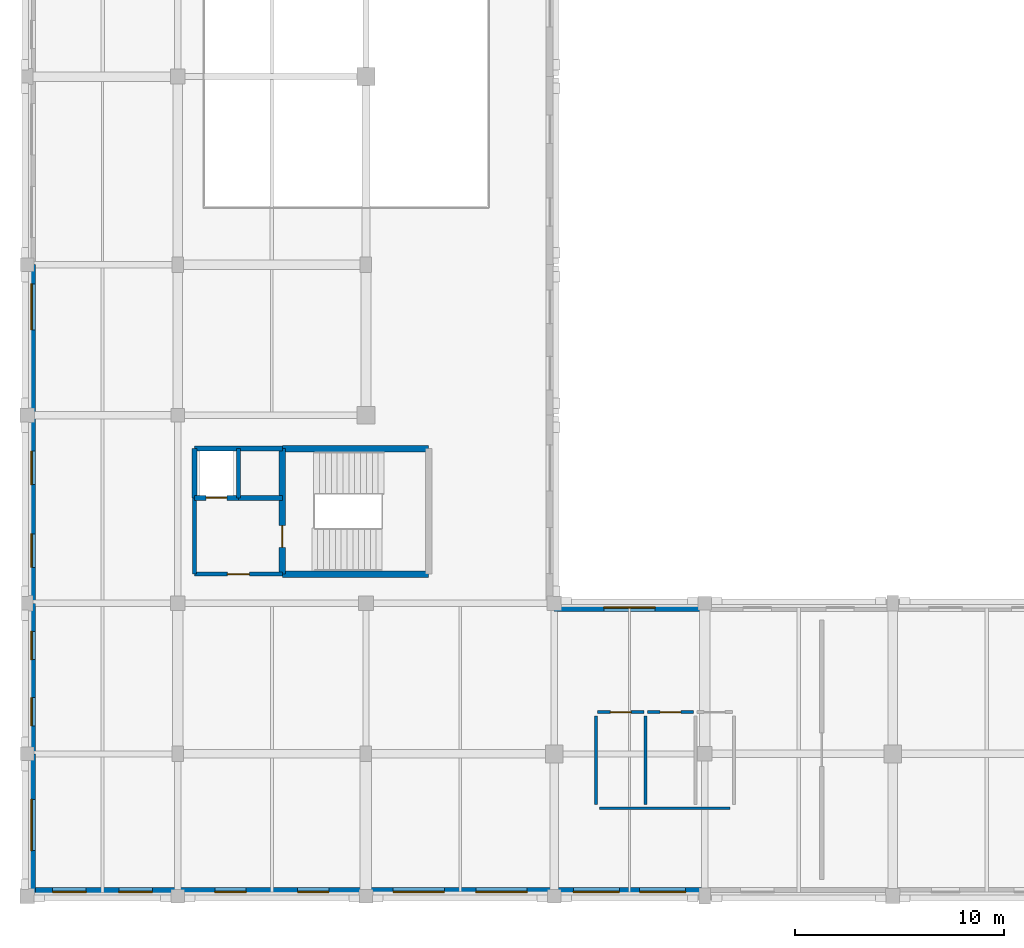
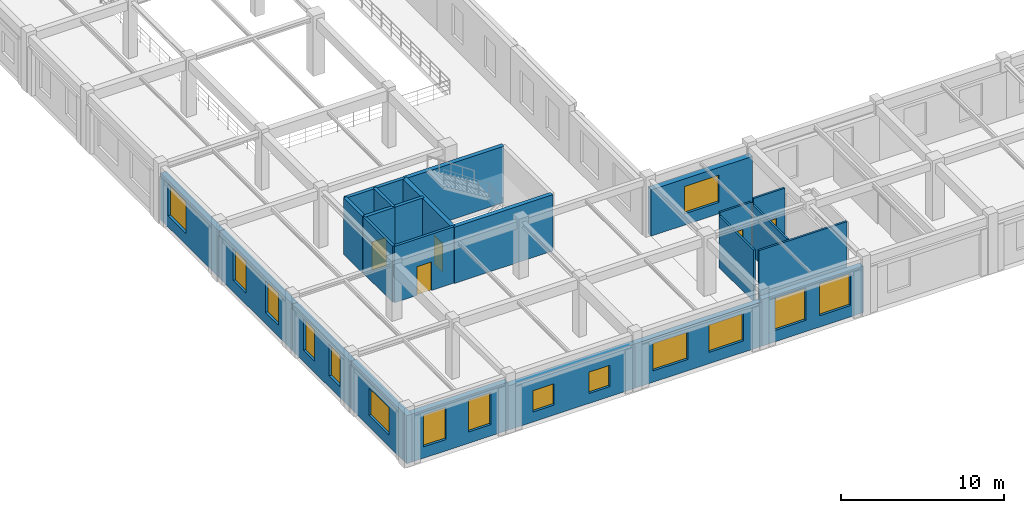
# One storey, part 36 of 62: 24 walls, 15 windows, 5 doors, 20 openings.
"""IFC4 building model written with IfcOpenShell, lengths in metres."""

from ifc_helpers import new_model, si_unit, direction, frame, frame_2d, origin, place, context, subcontext, project, spatial, rectangle, extrude, material, layer, layer_set, type_object, element, fill, save


model = new_model("IFC4")

# Units and contexts
model_context = context("Model", 3, precision=1e-05, world=origin(), true_north=direction((0.0, 1.0)))
body_context = subcontext(model_context, "Body", "Model", "MODEL_VIEW")
ifc_project = project(units=[si_unit("LENGTHUNIT", "METRE"), si_unit("AREAUNIT", "SQUARE_METRE"), si_unit("VOLUMEUNIT", "CUBIC_METRE"), si_unit("PLANEANGLEUNIT", "RADIAN"), si_unit("MASSUNIT", "GRAM", prefix="KILO")], contexts=[model_context])

# Site, building, storey
site_placement = place(None, origin())
site = spatial("IfcSite", under=ifc_project, at=site_placement, CompositionType="ELEMENT")
building_placement = place(site_placement, origin())
building = spatial("IfcBuilding", under=site, at=building_placement, Name="Clarverna Civic Hall", CompositionType="ELEMENT")
storey_placement = place(building_placement, frame((0.0, 0.0, 5.10009765625)))
storey = spatial("IfcBuildingStorey", under=building, at=storey_placement, Name="L01", CompositionType="ELEMENT", Elevation=5.10009765625)

# Wall, opening, window
ifc_material_1 = material(Name="Montjuic Limestone Ashlar Cladding", Category="masonry")
ifc_layer_1 = layer(ifc_material_1, 0.39990234375)
ifc_layer_set_1 = layer_set([ifc_layer_1], Name="Montjuic Limestone Ashlar Cladding")
wall_type_1 = type_object("IfcWallType", Name="EW-02", PredefinedType="SOLIDWALL", material=ifc_layer_set_1)
wall_1_placement = place(storey_placement, frame((0.199951171875, 0.0, 0.0), z_axis=(0.0, 0.0, 1.0), x_axis=(0.0, 1.0, 0.0)))
wall_1 = element("IfcWall", 1, at=wall_1_placement, inside=storey, type_object=wall_type_1, Name="EW-02-001", PredefinedType="SOLIDWALL", context=body_context, shape_type="SweptSolid", body=[
    extrude(rectangle(XDim=6.800048828125, YDim=0.39990234375, at=frame_2d((3.39990234375, 0.0))), origin(), (0.0, 0.0, 1.0), 3.599853515625),
])
opening_1_placement = place(wall_1_placement, frame((2.175048828125, 0.0, 0.85009765625)))
opening_1 = element("IfcOpeningElement", 2, at=opening_1_placement, cuts=wall_1, Name="Opening WN-24", PredefinedType="OPENING", context=body_context, shape_type="SweptSolid", body=[
    extrude(rectangle(XDim=2.449951171875, YDim=2.050048828125, at=frame_2d((1.22509765625, 1.02490234375))), frame((0.0, 0.2099609375, 0.0), z_axis=(0.0, -1.0, 0.0), x_axis=(1.0, 0.0, 0.0)), (0.0, 0.0, 1.0), 0.419921875),
])
ifc_material_2 = material(Name="Solar-Control Argon Low-E Double Glazing", Category="glass")
window_type_1 = type_object("IfcWindowType", Name="WN-24", PartitioningType="TRIPLE_PANEL_VERTICAL", PredefinedType="WINDOW", material=ifc_material_2)
window_1_placement = place(opening_1_placement, origin())
window_1 = element("IfcWindow", 3, at=window_1_placement, inside=storey, type_object=window_type_1, Name="WN-24-001", OverallHeight=2.050048828125, OverallWidth=2.449951171875, PartitioningType="TRIPLE_PANEL_VERTICAL", PredefinedType="WINDOW", context=body_context, shape_type="SweptSolid", body=[
    extrude(rectangle(XDim=2.449951171875, YDim=2.050048828125, at=frame_2d((1.22509765625, 1.02490234375))), frame((0.0, 0.030029296875, 0.0), z_axis=(0.0, -1.0, 0.0), x_axis=(1.0, 0.0, 0.0)), (0.0, 0.0, 1.0), 0.06005859375),
])
fill(opening_1, window_1)

# Wall, openings, windows
wall_2_placement = place(storey_placement, frame((0.199951171875, 6.800048828125, 0.0), z_axis=(0.0, 0.0, 1.0), x_axis=(0.0, 1.0, 0.0)))
wall_2 = element("IfcWall", 4, at=wall_2_placement, inside=storey, type_object=wall_type_1, Name="EW-02-002", PredefinedType="SOLIDWALL", context=body_context, shape_type="SweptSolid", body=[
    extrude(rectangle(XDim=7.199951171875, YDim=0.39990234375, at=frame_2d((3.60009765625, 0.0))), origin(), (0.0, 0.0, 1.0), 3.5),
])
opening_2_placement = place(wall_2_placement, frame((1.341064453125, 0.0, 0.85009765625)))
opening_2 = element("IfcOpeningElement", 5, at=opening_2_placement, cuts=wall_2, Name="Opening WN-29", PredefinedType="OPENING", context=body_context, shape_type="SweptSolid", body=[
    extrude(rectangle(XDim=1.35009765625, YDim=2.35009765625, at=frame_2d((0.675048828125, 1.175048828125))), frame((0.0, 0.2099609375, 0.0), z_axis=(0.0, -1.0, 0.0), x_axis=(1.0, 0.0, 0.0)), (0.0, 0.0, 1.0), 0.419921875),
])
opening_3_placement = place(wall_2_placement, frame((4.509033203125, 0.0, 0.85009765625)))
opening_3 = element("IfcOpeningElement", 6, at=opening_3_placement, cuts=wall_2, Name="Opening WN-29", PredefinedType="OPENING", context=body_context, shape_type="SweptSolid", body=[
    extrude(rectangle(XDim=1.35009765625, YDim=2.35009765625, at=frame_2d((0.675048828125, 1.175048828125))), frame((0.0, 0.2099609375, 0.0), z_axis=(0.0, -1.0, 0.0), x_axis=(1.0, 0.0, 0.0)), (0.0, 0.0, 1.0), 0.419921875),
])
window_type_2 = type_object("IfcWindowType", Name="WN-29", PartitioningType="SINGLE_PANEL", PredefinedType="WINDOW", material=ifc_material_2)
window_2_placement = place(opening_2_placement, origin())
window_2 = element("IfcWindow", 7, at=window_2_placement, inside=storey, type_object=window_type_2, Name="WN-29-001", OverallHeight=2.35009765625, OverallWidth=1.35009765625, PartitioningType="SINGLE_PANEL", PredefinedType="WINDOW", context=body_context, shape_type="SweptSolid", body=[
    extrude(rectangle(XDim=1.35009765625, YDim=2.35009765625, at=frame_2d((0.675048828125, 1.175048828125))), frame((0.0, 0.030029296875, 0.0), z_axis=(0.0, -1.0, 0.0), x_axis=(1.0, 0.0, 0.0)), (0.0, 0.0, 1.0), 0.06005859375),
])
fill(opening_2, window_2)
window_3_placement = place(opening_3_placement, origin())
window_3 = element("IfcWindow", 8, at=window_3_placement, inside=storey, type_object=window_type_2, Name="WN-29-002", OverallHeight=2.35009765625, OverallWidth=1.35009765625, PartitioningType="SINGLE_PANEL", PredefinedType="WINDOW", context=body_context, shape_type="SweptSolid", body=[
    extrude(rectangle(XDim=1.35009765625, YDim=2.35009765625, at=frame_2d((0.675048828125, 1.175048828125))), frame((0.0, 0.030029296875, 0.0), z_axis=(0.0, -1.0, 0.0), x_axis=(1.0, 0.0, 0.0)), (0.0, 0.0, 1.0), 0.06005859375),
])
fill(opening_3, window_3)

wall_3_placement = place(storey_placement, frame((0.199951171875, 14.0, 0.0), z_axis=(0.0, 0.0, 1.0), x_axis=(0.0, 1.0, 0.0)))
wall_3 = element("IfcWall", 9, at=wall_3_placement, inside=storey, type_object=wall_type_1, Name="EW-02-003", PredefinedType="SOLIDWALL", context=body_context, shape_type="SweptSolid", body=[
    extrude(rectangle(XDim=9.0, YDim=0.39990234375, at=frame_2d((4.5, 0.0))), origin(), (0.0, 0.0, 1.0), 3.5),
])
opening_4_placement = place(wall_3_placement, frame((1.719970703125, 0.0, 0.85009765625)))
opening_4 = element("IfcOpeningElement", 10, at=opening_4_placement, cuts=wall_3, Name="Opening WN-03", PredefinedType="OPENING", context=body_context, shape_type="SweptSolid", body=[
    extrude(rectangle(XDim=1.60009765625, YDim=2.39990234375, at=frame_2d((0.800048828125, 1.199951171875))), frame((0.0, 0.2099609375, 0.0), z_axis=(0.0, -1.0, 0.0), x_axis=(1.0, 0.0, 0.0)), (0.0, 0.0, 1.0), 0.419921875),
])
opening_5_placement = place(wall_3_placement, frame((5.679931640625, 0.0, 0.85009765625)))
opening_5 = element("IfcOpeningElement", 11, at=opening_5_placement, cuts=wall_3, Name="Opening WN-03", PredefinedType="OPENING", context=body_context, shape_type="SweptSolid", body=[
    extrude(rectangle(XDim=1.60009765625, YDim=2.39990234375, at=frame_2d((0.800048828125, 1.199951171875))), frame((0.0, 0.2099609375, 0.0), z_axis=(0.0, -1.0, 0.0), x_axis=(1.0, 0.0, 0.0)), (0.0, 0.0, 1.0), 0.419921875),
])
window_type_3 = type_object("IfcWindowType", Name="WN-03", PartitioningType="DOUBLE_PANEL_VERTICAL", PredefinedType="WINDOW", material=ifc_material_2)
window_4_placement = place(opening_4_placement, origin())
window_4 = element("IfcWindow", 12, at=window_4_placement, inside=storey, type_object=window_type_3, Name="WN-03-001", OverallHeight=2.39990234375, OverallWidth=1.60009765625, PartitioningType="DOUBLE_PANEL_VERTICAL", PredefinedType="WINDOW", context=body_context, shape_type="SweptSolid", body=[
    extrude(rectangle(XDim=1.60009765625, YDim=2.39990234375, at=frame_2d((0.800048828125, 1.199951171875))), frame((0.0, 0.030029296875, 0.0), z_axis=(0.0, -1.0, 0.0), x_axis=(1.0, 0.0, 0.0)), (0.0, 0.0, 1.0), 0.06005859375),
])
fill(opening_4, window_4)
window_5_placement = place(opening_5_placement, origin())
window_5 = element("IfcWindow", 13, at=window_5_placement, inside=storey, type_object=window_type_3, Name="WN-03-002", OverallHeight=2.39990234375, OverallWidth=1.60009765625, PartitioningType="DOUBLE_PANEL_VERTICAL", PredefinedType="WINDOW", context=body_context, shape_type="SweptSolid", body=[
    extrude(rectangle(XDim=1.60009765625, YDim=2.39990234375, at=frame_2d((0.800048828125, 1.199951171875))), frame((0.0, 0.030029296875, 0.0), z_axis=(0.0, -1.0, 0.0), x_axis=(1.0, 0.0, 0.0)), (0.0, 0.0, 1.0), 0.06005859375),
])
fill(opening_5, window_5)

# Wall, opening, window
wall_4_placement = place(storey_placement, frame((0.199951171875, 23.0, 0.0), z_axis=(0.0, 0.0, 1.0), x_axis=(0.0, 1.0, 0.0)))
wall_4 = element("IfcWall", 14, at=wall_4_placement, inside=storey, type_object=wall_type_1, Name="EW-02-004", PredefinedType="SOLIDWALL", context=body_context, shape_type="SweptSolid", body=[
    extrude(rectangle(XDim=7.199951171875, YDim=0.39990234375, at=frame_2d((3.60009765625, 0.0))), origin(), (0.0, 0.0, 1.0), 3.5),
])
opening_6_placement = place(wall_4_placement, frame((4.083984375, 0.0, 0.85009765625)))
opening_6 = element("IfcOpeningElement", 15, at=opening_6_placement, cuts=wall_4, Name="Opening WN-04", PredefinedType="OPENING", context=body_context, shape_type="SweptSolid", body=[
    extrude(rectangle(XDim=2.199951171875, YDim=2.39990234375, at=frame_2d((1.10009765625, 1.199951171875))), frame((0.0, 0.2099609375, 0.0), z_axis=(0.0, -1.0, 0.0), x_axis=(1.0, 0.0, 0.0)), (0.0, 0.0, 1.0), 0.419921875),
])
window_type_4 = type_object("IfcWindowType", Name="WN-04", PartitioningType="DOUBLE_PANEL_VERTICAL", PredefinedType="WINDOW", material=ifc_material_2)
window_6_placement = place(opening_6_placement, origin())
window_6 = element("IfcWindow", 16, at=window_6_placement, inside=storey, type_object=window_type_4, Name="WN-04-001", OverallHeight=2.39990234375, OverallWidth=2.199951171875, PartitioningType="DOUBLE_PANEL_VERTICAL", PredefinedType="WINDOW", context=body_context, shape_type="SweptSolid", body=[
    extrude(rectangle(XDim=2.199951171875, YDim=2.39990234375, at=frame_2d((1.10009765625, 1.199951171875))), frame((0.0, 0.030029296875, 0.0), z_axis=(0.0, -1.0, 0.0), x_axis=(1.0, 0.0, 0.0)), (0.0, 0.0, 1.0), 0.06005859375),
])
fill(opening_6, window_6)

wall_5_placement = place(storey_placement, frame((25.199951171875, 13.800048828125, 0.0), z_axis=(0.0, 0.0, 1.0), x_axis=(1.0, 0.0, 0.0)))
wall_5 = element("IfcWall", 17, at=wall_5_placement, inside=storey, type_object=wall_type_1, Name="EW-02-069", PredefinedType="SOLIDWALL", context=body_context, shape_type="SweptSolid", body=[
    extrude(rectangle(XDim=7.199951171875, YDim=0.39990234375, at=frame_2d((3.60009765625, 0.0))), origin(), (0.0, 0.0, 1.0), 3.469970703125),
])
opening_7_placement = place(wall_5_placement, frame((2.375, 0.0, 0.85009765625)))
opening_7 = element("IfcOpeningElement", 18, at=opening_7_placement, cuts=wall_5, Name="Opening WN-24", PredefinedType="OPENING", context=body_context, shape_type="SweptSolid", body=[
    extrude(rectangle(XDim=2.449951171875, YDim=2.050048828125, at=frame_2d((1.22509765625, 1.02490234375))), frame((0.0, 0.2099609375, 0.0), z_axis=(0.0, -1.0, 0.0), x_axis=(1.0, 0.0, 0.0)), (0.0, 0.0, 1.0), 0.419921875),
])
window_7_placement = place(opening_7_placement, origin())
window_7 = element("IfcWindow", 19, at=window_7_placement, inside=storey, type_object=window_type_1, Name="WN-24-027", OverallHeight=2.050048828125, OverallWidth=2.449951171875, PartitioningType="TRIPLE_PANEL_VERTICAL", PredefinedType="WINDOW", context=body_context, shape_type="SweptSolid", body=[
    extrude(rectangle(XDim=2.449951171875, YDim=2.050048828125, at=frame_2d((1.22509765625, 1.02490234375))), frame((0.0, 0.030029296875, 0.0), z_axis=(0.0, -1.0, 0.0), x_axis=(1.0, 0.0, 0.0)), (0.0, 0.0, 1.0), 0.06005859375),
])
fill(opening_7, window_7)

# Wall, openings, windows
wall_6_placement = place(storey_placement, frame((32.39990234375, 0.199951171875, 0.0), z_axis=(0.0, 0.0, 1.0), x_axis=(-1.0, 0.0, 0.0)))
wall_6 = element("IfcWall", 20, at=wall_6_placement, inside=storey, type_object=wall_type_1, Name="EW-02-080", PredefinedType="SOLIDWALL", context=body_context, shape_type="SweptSolid", body=[
    extrude(rectangle(XDim=7.199951171875, YDim=0.39990234375, at=frame_2d((3.60009765625, 0.0))), origin(), (0.0, 0.0, 1.0), 3.5),
])
opening_8_placement = place(wall_6_placement, frame((0.916015625, 0.0, 0.85009765625)))
opening_8 = element("IfcOpeningElement", 21, at=opening_8_placement, cuts=wall_6, Name="Opening WN-04", PredefinedType="OPENING", context=body_context, shape_type="SweptSolid", body=[
    extrude(rectangle(XDim=2.199951171875, YDim=2.39990234375, at=frame_2d((1.10009765625, 1.199951171875))), frame((0.0, 0.2099609375, 0.0), z_axis=(0.0, -1.0, 0.0), x_axis=(1.0, 0.0, 0.0)), (0.0, 0.0, 1.0), 0.419921875),
])
opening_9_placement = place(wall_6_placement, frame((4.083984375, 0.0, 0.85009765625)))
opening_9 = element("IfcOpeningElement", 22, at=opening_9_placement, cuts=wall_6, Name="Opening WN-04", PredefinedType="OPENING", context=body_context, shape_type="SweptSolid", body=[
    extrude(rectangle(XDim=2.199951171875, YDim=2.39990234375, at=frame_2d((1.10009765625, 1.199951171875))), frame((0.0, 0.2099609375, 0.0), z_axis=(0.0, -1.0, 0.0), x_axis=(1.0, 0.0, 0.0)), (0.0, 0.0, 1.0), 0.419921875),
])
window_8_placement = place(opening_8_placement, origin())
window_8 = element("IfcWindow", 23, at=window_8_placement, inside=storey, type_object=window_type_4, Name="WN-04-027", OverallHeight=2.39990234375, OverallWidth=2.199951171875, PartitioningType="DOUBLE_PANEL_VERTICAL", PredefinedType="WINDOW", context=body_context, shape_type="SweptSolid", body=[
    extrude(rectangle(XDim=2.199951171875, YDim=2.39990234375, at=frame_2d((1.10009765625, 1.199951171875))), frame((0.0, 0.030029296875, 0.0), z_axis=(0.0, -1.0, 0.0), x_axis=(1.0, 0.0, 0.0)), (0.0, 0.0, 1.0), 0.06005859375),
])
fill(opening_8, window_8)
window_9_placement = place(opening_9_placement, origin())
window_9 = element("IfcWindow", 24, at=window_9_placement, inside=storey, type_object=window_type_4, Name="WN-04-028", OverallHeight=2.39990234375, OverallWidth=2.199951171875, PartitioningType="DOUBLE_PANEL_VERTICAL", PredefinedType="WINDOW", context=body_context, shape_type="SweptSolid", body=[
    extrude(rectangle(XDim=2.199951171875, YDim=2.39990234375, at=frame_2d((1.10009765625, 1.199951171875))), frame((0.0, 0.030029296875, 0.0), z_axis=(0.0, -1.0, 0.0), x_axis=(1.0, 0.0, 0.0)), (0.0, 0.0, 1.0), 0.06005859375),
])
fill(opening_9, window_9)

wall_7_placement = place(storey_placement, frame((25.199951171875, 0.199951171875, 0.0), z_axis=(0.0, 0.0, 1.0), x_axis=(-1.0, 0.0, 0.0)))
wall_7 = element("IfcWall", 25, at=wall_7_placement, inside=storey, type_object=wall_type_1, Name="EW-02-081", PredefinedType="SOLIDWALL", context=body_context, shape_type="SweptSolid", body=[
    extrude(rectangle(XDim=9.0, YDim=0.39990234375, at=frame_2d((4.5, 0.0))), origin(), (0.0, 0.0, 1.0), 3.31982421875),
])
opening_10_placement = place(wall_7_placement, frame((1.294921875, 0.0, 0.85009765625)))
opening_10 = element("IfcOpeningElement", 26, at=opening_10_placement, cuts=wall_7, Name="Opening WN-24", PredefinedType="OPENING", context=body_context, shape_type="SweptSolid", body=[
    extrude(rectangle(XDim=2.449951171875, YDim=2.050048828125, at=frame_2d((1.22509765625, 1.02490234375))), frame((0.0, 0.2099609375, 0.0), z_axis=(0.0, -1.0, 0.0), x_axis=(1.0, 0.0, 0.0)), (0.0, 0.0, 1.0), 0.419921875),
])
opening_11_placement = place(wall_7_placement, frame((5.2548828125, 0.0, 0.85009765625)))
opening_11 = element("IfcOpeningElement", 27, at=opening_11_placement, cuts=wall_7, Name="Opening WN-24", PredefinedType="OPENING", context=body_context, shape_type="SweptSolid", body=[
    extrude(rectangle(XDim=2.449951171875, YDim=2.050048828125, at=frame_2d((1.22509765625, 1.02490234375))), frame((0.0, 0.2099609375, 0.0), z_axis=(0.0, -1.0, 0.0), x_axis=(1.0, 0.0, 0.0)), (0.0, 0.0, 1.0), 0.419921875),
])
window_10_placement = place(opening_10_placement, origin())
window_10 = element("IfcWindow", 28, at=window_10_placement, inside=storey, type_object=window_type_1, Name="WN-24-031", OverallHeight=2.050048828125, OverallWidth=2.449951171875, PartitioningType="TRIPLE_PANEL_VERTICAL", PredefinedType="WINDOW", context=body_context, shape_type="SweptSolid", body=[
    extrude(rectangle(XDim=2.449951171875, YDim=2.050048828125, at=frame_2d((1.22509765625, 1.02490234375))), frame((0.0, 0.030029296875, 0.0), z_axis=(0.0, -1.0, 0.0), x_axis=(1.0, 0.0, 0.0)), (0.0, 0.0, 1.0), 0.06005859375),
])
fill(opening_10, window_10)
window_11_placement = place(opening_11_placement, origin())
window_11 = element("IfcWindow", 29, at=window_11_placement, inside=storey, type_object=window_type_1, Name="WN-24-032", OverallHeight=2.050048828125, OverallWidth=2.449951171875, PartitioningType="TRIPLE_PANEL_VERTICAL", PredefinedType="WINDOW", context=body_context, shape_type="SweptSolid", body=[
    extrude(rectangle(XDim=2.449951171875, YDim=2.050048828125, at=frame_2d((1.22509765625, 1.02490234375))), frame((0.0, 0.030029296875, 0.0), z_axis=(0.0, -1.0, 0.0), x_axis=(1.0, 0.0, 0.0)), (0.0, 0.0, 1.0), 0.06005859375),
])
fill(opening_11, window_11)

wall_8_placement = place(storey_placement, frame((16.199951171875, 0.199951171875, 0.0), z_axis=(0.0, 0.0, 1.0), x_axis=(-1.0, 0.0, 0.0)))
wall_8 = element("IfcWall", 30, at=wall_8_placement, inside=storey, type_object=wall_type_1, Name="EW-02-082", PredefinedType="SOLIDWALL", context=body_context, shape_type="SweptSolid", body=[
    extrude(rectangle(XDim=9.0, YDim=0.39990234375, at=frame_2d((4.5, 0.0))), origin(), (0.0, 0.0, 1.0), 3.31982421875),
])
opening_12_placement = place(wall_8_placement, frame((1.77001953125, 0.0, 0.75)))
opening_12 = element("IfcOpeningElement", 31, at=opening_12_placement, cuts=wall_8, Name="Opening WN-14", PredefinedType="OPENING", context=body_context, shape_type="SweptSolid", body=[
    extrude(rectangle(XDim=1.5, YDim=1.60009765625, at=frame_2d((0.75, 0.800048828125))), frame((0.0, 0.2099609375, 0.0), z_axis=(0.0, -1.0, 0.0), x_axis=(1.0, 0.0, 0.0)), (0.0, 0.0, 1.0), 0.419921875),
])
opening_13_placement = place(wall_8_placement, frame((5.72998046875, 0.0, 0.75)))
opening_13 = element("IfcOpeningElement", 32, at=opening_13_placement, cuts=wall_8, Name="Opening WN-14", PredefinedType="OPENING", context=body_context, shape_type="SweptSolid", body=[
    extrude(rectangle(XDim=1.5, YDim=1.60009765625, at=frame_2d((0.75, 0.800048828125))), frame((0.0, 0.2099609375, 0.0), z_axis=(0.0, -1.0, 0.0), x_axis=(1.0, 0.0, 0.0)), (0.0, 0.0, 1.0), 0.419921875),
])
window_type_5 = type_object("IfcWindowType", Name="WN-14", PartitioningType="DOUBLE_PANEL_HORIZONTAL", PredefinedType="WINDOW", material=ifc_material_2)
window_12_placement = place(opening_12_placement, origin())
window_12 = element("IfcWindow", 33, at=window_12_placement, inside=storey, type_object=window_type_5, Name="WN-14-017", OverallHeight=1.60009765625, OverallWidth=1.5, PartitioningType="DOUBLE_PANEL_HORIZONTAL", PredefinedType="WINDOW", context=body_context, shape_type="SweptSolid", body=[
    extrude(rectangle(XDim=1.5, YDim=1.60009765625, at=frame_2d((0.75, 0.800048828125))), frame((0.0, 0.030029296875, 0.0), z_axis=(0.0, -1.0, 0.0), x_axis=(1.0, 0.0, 0.0)), (0.0, 0.0, 1.0), 0.06005859375),
])
fill(opening_12, window_12)
window_13_placement = place(opening_13_placement, origin())
window_13 = element("IfcWindow", 34, at=window_13_placement, inside=storey, type_object=window_type_5, Name="WN-14-018", OverallHeight=1.60009765625, OverallWidth=1.5, PartitioningType="DOUBLE_PANEL_HORIZONTAL", PredefinedType="WINDOW", context=body_context, shape_type="SweptSolid", body=[
    extrude(rectangle(XDim=1.5, YDim=1.60009765625, at=frame_2d((0.75, 0.800048828125))), frame((0.0, 0.030029296875, 0.0), z_axis=(0.0, -1.0, 0.0), x_axis=(1.0, 0.0, 0.0)), (0.0, 0.0, 1.0), 0.06005859375),
])
fill(opening_13, window_13)

wall_9_placement = place(storey_placement, frame((7.199951171875, 0.199951171875, 0.0), z_axis=(0.0, 0.0, 1.0), x_axis=(-1.0, 0.0, 0.0)))
wall_9 = element("IfcWall", 35, at=wall_9_placement, inside=storey, type_object=wall_type_1, Name="EW-02-083", PredefinedType="SOLIDWALL", context=body_context, shape_type="SweptSolid", body=[
    extrude(rectangle(XDim=7.199951171875, YDim=0.39990234375, at=frame_2d((3.60009765625, 0.0))), origin(), (0.0, 0.0, 1.0), 3.599853515625),
])
opening_14_placement = place(wall_9_placement, frame((1.216064453125, 0.0, 0.85009765625)))
opening_14 = element("IfcOpeningElement", 36, at=opening_14_placement, cuts=wall_9, Name="Opening WN-03", PredefinedType="OPENING", context=body_context, shape_type="SweptSolid", body=[
    extrude(rectangle(XDim=1.60009765625, YDim=2.39990234375, at=frame_2d((0.800048828125, 1.199951171875))), frame((0.0, 0.2099609375, 0.0), z_axis=(0.0, -1.0, 0.0), x_axis=(1.0, 0.0, 0.0)), (0.0, 0.0, 1.0), 0.419921875),
])
opening_15_placement = place(wall_9_placement, frame((4.384033203125, 0.0, 0.85009765625)))
opening_15 = element("IfcOpeningElement", 37, at=opening_15_placement, cuts=wall_9, Name="Opening WN-03", PredefinedType="OPENING", context=body_context, shape_type="SweptSolid", body=[
    extrude(rectangle(XDim=1.60009765625, YDim=2.39990234375, at=frame_2d((0.800048828125, 1.199951171875))), frame((0.0, 0.2099609375, 0.0), z_axis=(0.0, -1.0, 0.0), x_axis=(1.0, 0.0, 0.0)), (0.0, 0.0, 1.0), 0.419921875),
])
window_14_placement = place(opening_14_placement, origin())
window_14 = element("IfcWindow", 38, at=window_14_placement, inside=storey, type_object=window_type_3, Name="WN-03-030", OverallHeight=2.39990234375, OverallWidth=1.60009765625, PartitioningType="DOUBLE_PANEL_VERTICAL", PredefinedType="WINDOW", context=body_context, shape_type="SweptSolid", body=[
    extrude(rectangle(XDim=1.60009765625, YDim=2.39990234375, at=frame_2d((0.800048828125, 1.199951171875))), frame((0.0, 0.030029296875, 0.0), z_axis=(0.0, -1.0, 0.0), x_axis=(1.0, 0.0, 0.0)), (0.0, 0.0, 1.0), 0.06005859375),
])
fill(opening_14, window_14)
window_15_placement = place(opening_15_placement, origin())
window_15 = element("IfcWindow", 39, at=window_15_placement, inside=storey, type_object=window_type_3, Name="WN-03-031", OverallHeight=2.39990234375, OverallWidth=1.60009765625, PartitioningType="DOUBLE_PANEL_VERTICAL", PredefinedType="WINDOW", context=body_context, shape_type="SweptSolid", body=[
    extrude(rectangle(XDim=1.60009765625, YDim=2.39990234375, at=frame_2d((0.800048828125, 1.199951171875))), frame((0.0, 0.030029296875, 0.0), z_axis=(0.0, -1.0, 0.0), x_axis=(1.0, 0.0, 0.0)), (0.0, 0.0, 1.0), 0.06005859375),
])
fill(opening_15, window_15)

# Walls
ifc_material_3 = material(Name="Ceramic Brick and Plaster Wet-Room Partition", Category="masonry")
ifc_layer_2 = layer(ifc_material_3, 0.139892578125)
ifc_layer_set_2 = layer_set([ifc_layer_2], Name="Ceramic Brick and Plaster Wet-Room Partition")
wall_type_2 = type_object("IfcWallType", Name="PW-02", PredefinedType="PARTITIONING", material=ifc_layer_set_2)
wall_10_placement = place(storey_placement, frame((27.3798828125, 4.199951171875, 0.0), z_axis=(0.0, 0.0, 1.0), x_axis=(1.0, 0.0, 0.0)))
element("IfcWall", 40, at=wall_10_placement, inside=storey, type_object=wall_type_2, Name="PW-02-177", PredefinedType="PARTITIONING", context=body_context, shape_type="SweptSolid", body=[
    extrude(rectangle(XDim=6.240234375, YDim=0.139892578125, at=frame_2d((3.1201171875, 0.0))), origin(), (0.0, 0.0, 1.0), 3.889892578125),
])
for number, where, z_axis, x_axis, name in (
    (41, (27.199951171875, 4.3798828125, 0.0), (0.0, 0.0, 1.0), (0.0, 1.0, 0.0), "PW-02-178"),
    (42, (29.575927734375, 4.3798828125, 0.0), (0.0, 0.0, 1.0), (0.0, 1.0, 0.0), "PW-02-180"),
):
    element("IfcWall", number, at=place(storey_placement, frame(where, z_axis=z_axis, x_axis=x_axis)), inside=storey, type_object=wall_type_2, Name=name, PredefinedType="PARTITIONING", context=body_context, shape_type="SweptSolid", body=[
        extrude(rectangle(XDim=4.240234375, YDim=0.139892578125, at=frame_2d((2.1201171875, 0.0))), origin(), (0.0, 0.0, 1.0), 3.869873046875),
    ])

# Wall, opening, door
wall_11_placement = place(storey_placement, frame((27.280029296875, 8.800048828125, 0.0), z_axis=(0.0, 0.0, 1.0), x_axis=(1.0, 0.0, 0.0)))
wall_11 = element("IfcWall", 43, at=wall_11_placement, inside=storey, type_object=wall_type_2, Name="PW-02-182", PredefinedType="PARTITIONING", context=body_context, shape_type="SweptSolid", body=[
    extrude(rectangle(XDim=2.216064453125, YDim=0.139892578125, at=frame_2d((1.10791015625, 0.0))), origin(), (0.0, 0.0, 1.0), 4.0),
])
opening_16_placement = place(wall_11_placement, frame((0.60791015625, 0.0, 0.0)))
opening_16 = element("IfcOpeningElement", 44, at=opening_16_placement, cuts=wall_11, Name="Opening ID-02", PredefinedType="OPENING", context=body_context, shape_type="SweptSolid", body=[
    extrude(rectangle(XDim=1.0, YDim=2.14990234375, at=frame_2d((0.5, 1.074951171875))), frame((0.0, 0.079833984375, 0.0), z_axis=(0.0, -1.0, 0.0), x_axis=(1.0, 0.0, 0.0)), (0.0, 0.0, 1.0), 0.159912109375),
])
ifc_material_4 = material(Name="European Oak Veneered Acoustic Timber Door", Category="wood")
door_type_1 = type_object("IfcDoorType", Name="ID-02", OperationType="NOTDEFINED", PredefinedType="DOOR", material=ifc_material_4)
door_1_placement = place(opening_16_placement, origin())
door_1 = element("IfcDoor", 45, at=door_1_placement, inside=storey, type_object=door_type_1, Name="ID-02-067", OperationType="SINGLE_SWING_LEFT", OverallHeight=2.14990234375, OverallWidth=1.0, PredefinedType="DOOR", context=body_context, shape_type="SweptSolid", body=[
    extrude(rectangle(XDim=1.0, YDim=2.14990234375, at=frame_2d((0.5, 1.074951171875))), frame((0.0, 0.02490234375, 0.0), z_axis=(0.0, -1.0, 0.0), x_axis=(1.0, 0.0, 0.0)), (0.0, 0.0, 1.0), 0.050048828125),
])
fill(opening_16, door_1)

wall_12_placement = place(storey_placement, frame((29.656005859375, 8.800048828125, 0.0), z_axis=(0.0, 0.0, 1.0), x_axis=(1.0, 0.0, 0.0)))
wall_12 = element("IfcWall", 46, at=wall_12_placement, inside=storey, type_object=wall_type_2, Name="PW-02-183", PredefinedType="PARTITIONING", context=body_context, shape_type="SweptSolid", body=[
    extrude(rectangle(XDim=2.216064453125, YDim=0.139892578125, at=frame_2d((1.10791015625, 0.0))), origin(), (0.0, 0.0, 1.0), 4.219970703125),
])
opening_17_placement = place(wall_12_placement, frame((0.60791015625, 0.0, 0.0)))
opening_17 = element("IfcOpeningElement", 47, at=opening_17_placement, cuts=wall_12, Name="Opening ID-02", PredefinedType="OPENING", context=body_context, shape_type="SweptSolid", body=[
    extrude(rectangle(XDim=1.0, YDim=2.14990234375, at=frame_2d((0.5, 1.074951171875))), frame((0.0, 0.079833984375, 0.0), z_axis=(0.0, -1.0, 0.0), x_axis=(1.0, 0.0, 0.0)), (0.0, 0.0, 1.0), 0.159912109375),
])
door_2_placement = place(opening_17_placement, origin())
door_2 = element("IfcDoor", 48, at=door_2_placement, inside=storey, type_object=door_type_1, Name="ID-02-068", OperationType="SINGLE_SWING_RIGHT", OverallHeight=2.14990234375, OverallWidth=1.0, PredefinedType="DOOR", context=body_context, shape_type="SweptSolid", body=[
    extrude(rectangle(XDim=1.0, YDim=2.14990234375, at=frame_2d((0.5, 1.074951171875))), frame((0.0, 0.02490234375, 0.0), z_axis=(0.0, -1.0, 0.0), x_axis=(1.0, 0.0, 0.0)), (0.0, 0.0, 1.0), 0.050048828125),
])
fill(opening_17, door_2)

# Wall
ifc_material_5 = material(Name="Acoustic Gypsum Plasterboard on Twin Frame", Category="gypsum")
ifc_layer_3 = layer(ifc_material_5, 0.18994140625)
ifc_layer_set_3 = layer_set([ifc_layer_3], Name="Acoustic Gypsum Plasterboard on Twin Frame")
wall_type_3 = type_object("IfcWallType", Name="PW-06", PredefinedType="PARTITIONING", material=ifc_layer_set_3)
wall_13_placement = place(storey_placement, frame((8.0, 15.39990234375, 0.0), z_axis=(0.0, 0.0, 1.0), x_axis=(0.0, 1.0, 0.0)))
element("IfcWall", 49, at=wall_13_placement, inside=storey, type_object=wall_type_3, Name="PW-06-083", PredefinedType="PARTITIONING", context=body_context, shape_type="SweptSolid", body=[
    extrude(rectangle(XDim=3.650146484375, YDim=0.18994140625, at=frame_2d((1.8251953125, 0.0))), origin(), (0.0, 0.0, 1.0), 4.219970703125),
])

# Wall, opening, door
wall_14_placement = place(storey_placement, frame((8.0, 15.39990234375, 0.0), z_axis=(0.0, 0.0, 1.0), x_axis=(1.0, 0.0, 0.0)))
wall_14 = element("IfcWall", 50, at=wall_14_placement, inside=storey, type_object=wall_type_3, Name="PW-06-084", PredefinedType="PARTITIONING", context=body_context, shape_type="SweptSolid", body=[
    extrude(rectangle(XDim=4.199951171875, YDim=0.18994140625, at=frame_2d((2.10009765625, 0.0))), origin(), (0.0, 0.0, 1.0), 4.219970703125),
])
opening_18_placement = place(wall_14_placement, frame((1.574951171875, 0.0, 0.0)))
opening_18 = element("IfcOpeningElement", 51, at=opening_18_placement, cuts=wall_14, Name="Opening FD-02", PredefinedType="OPENING", context=body_context, shape_type="SweptSolid", body=[
    extrude(rectangle(XDim=1.050048828125, YDim=2.14990234375, at=frame_2d((0.52490234375, 1.074951171875))), frame((0.0, 0.10498046875, 0.0), z_axis=(0.0, -1.0, 0.0), x_axis=(1.0, 0.0, 0.0)), (0.0, 0.0, 1.0), 0.2099609375),
])
ifc_material_6 = material(Name="Acoustic Timber-Faced Fire Door", Category="wood")
door_type_2 = type_object("IfcDoorType", Name="FD-02", OperationType="NOTDEFINED", PredefinedType="DOOR", material=ifc_material_6)
door_3_placement = place(opening_18_placement, origin())
door_3 = element("IfcDoor", 52, at=door_3_placement, inside=storey, type_object=door_type_2, Name="FD-02-077", OperationType="SINGLE_SWING_RIGHT", OverallHeight=2.14990234375, OverallWidth=1.050048828125, PredefinedType="DOOR", context=body_context, shape_type="SweptSolid", body=[
    extrude(rectangle(XDim=1.050048828125, YDim=2.14990234375, at=frame_2d((0.52490234375, 1.074951171875))), frame((0.0, 0.02490234375, 0.0), z_axis=(0.0, -1.0, 0.0), x_axis=(1.0, 0.0, 0.0)), (0.0, 0.0, 1.0), 0.050048828125),
])
fill(opening_18, door_3)

ifc_material_7 = material(Name="Concrete C35/45", Category="concrete")
ifc_layer_4 = layer(ifc_material_7, 0.300048828125)
ifc_layer_set_4 = layer_set([ifc_layer_4], Name="Concrete C35/45")
wall_type_4 = type_object("IfcWallType", Name="SW-03", PredefinedType="SHEAR", material=ifc_layer_set_4)
wall_15_placement = place(storey_placement, frame((12.199951171875, 15.39990234375, 0.0), z_axis=(0.0, 0.0, 1.0), x_axis=(0.0, 1.0, 0.0)))
wall_15 = element("IfcWall", 53, at=wall_15_placement, inside=storey, type_object=wall_type_4, Name="SW-03-118", PredefinedType="SHEAR", context=body_context, shape_type="SweptSolid", body=[
    extrude(rectangle(XDim=6.0, YDim=0.300048828125, at=frame_2d((3.0, 0.0))), origin(), (0.0, 0.0, 1.0), 4.219970703125),
])
opening_19_placement = place(wall_15_placement, frame((1.27490234375, 0.0, 0.0)))
opening_19 = element("IfcOpeningElement", 54, at=opening_19_placement, cuts=wall_15, Name="Opening FD-02", PredefinedType="OPENING", context=body_context, shape_type="SweptSolid", body=[
    extrude(rectangle(XDim=1.050048828125, YDim=2.14990234375, at=frame_2d((0.52490234375, 1.074951171875))), frame((0.0, 0.159912109375, 0.0), z_axis=(0.0, -1.0, 0.0), x_axis=(1.0, 0.0, 0.0)), (0.0, 0.0, 1.0), 0.320068359375),
])
door_4_placement = place(opening_19_placement, origin())
door_4 = element("IfcDoor", 55, at=door_4_placement, inside=storey, type_object=door_type_2, Name="FD-02-076", OperationType="SINGLE_SWING_LEFT", OverallHeight=2.14990234375, OverallWidth=1.050048828125, PredefinedType="DOOR", context=body_context, shape_type="SweptSolid", body=[
    extrude(rectangle(XDim=1.050048828125, YDim=2.14990234375, at=frame_2d((0.52490234375, 1.074951171875))), frame((0.0, 0.02490234375, 0.0), z_axis=(0.0, -1.0, 0.0), x_axis=(1.0, 0.0, 0.0)), (0.0, 0.0, 1.0), 0.050048828125),
])
fill(opening_19, door_4)

# Walls
for number, where, z_axis, x_axis, name in (
    (56, (12.199951171875, 15.39990234375, 0.0), (0.0, 0.0, 1.0), (1.0, 0.0, 0.0), "SW-03-120"),
    (57, (12.199951171875, 21.39990234375, 0.0), (0.0, 0.0, 1.0), (1.0, 0.0, 0.0), "SW-03-121"),
):
    element("IfcWall", number, at=place(storey_placement, frame(where, z_axis=z_axis, x_axis=x_axis)), inside=storey, type_object=wall_type_4, Name=name, PredefinedType="SHEAR", context=body_context, shape_type="SweptSolid", body=[
        extrude(rectangle(XDim=7.0, YDim=0.300048828125, at=frame_2d((3.5, 0.0))), origin(), (0.0, 0.0, 1.0), 4.219970703125),
    ])
wall_16_placement = place(storey_placement, frame((8.0, 21.39990234375, 0.0), z_axis=(0.0, 0.0, 1.0), x_axis=(1.0, 0.0, 0.0)))
element("IfcWall", 58, at=wall_16_placement, inside=storey, type_object=wall_type_4, Name="SW-03-122", PredefinedType="SHEAR", context=body_context, shape_type="SweptSolid", body=[
    extrude(rectangle(XDim=4.199951171875, YDim=0.239990234375, at=frame_2d((2.10009765625, 0.0))), origin(), (0.0, 0.0, 1.0), 4.219970703125),
])
wall_17_placement = place(storey_placement, frame((8.0, 19.050048828125, 0.0), z_axis=(0.0, 0.0, 1.0), x_axis=(0.0, 1.0, 0.0)))
element("IfcWall", 59, at=wall_17_placement, inside=storey, type_object=wall_type_4, Name="SW-03-123", PredefinedType="SHEAR", context=body_context, shape_type="SweptSolid", body=[
    extrude(rectangle(XDim=2.349853515625, YDim=0.239990234375, at=frame_2d((1.1748046875, 0.0))), origin(), (0.0, 0.0, 1.0), 4.219970703125),
])
wall_18_placement = place(storey_placement, frame((10.10009765625, 19.050048828125, 0.0), z_axis=(0.0, 0.0, 1.0), x_axis=(0.0, 1.0, 0.0)))
element("IfcWall", 60, at=wall_18_placement, inside=storey, type_object=wall_type_4, Name="SW-03-124", PredefinedType="SHEAR", context=body_context, shape_type="SweptSolid", body=[
    extrude(rectangle(XDim=2.349853515625, YDim=0.199951171875, at=frame_2d((1.1748046875, 0.0))), origin(), (0.0, 0.0, 1.0), 4.219970703125),
])

# Wall, opening, door
wall_19_placement = place(storey_placement, frame((8.0, 19.050048828125, 0.0), z_axis=(0.0, 0.0, 1.0), x_axis=(1.0, 0.0, 0.0)))
wall_19 = element("IfcWall", 61, at=wall_19_placement, inside=storey, type_object=wall_type_4, Name="SW-03-125", PredefinedType="SHEAR", context=body_context, shape_type="SweptSolid", body=[
    extrude(rectangle(XDim=2.10009765625, YDim=0.239990234375, at=frame_2d((1.050048828125, 0.0))), origin(), (0.0, 0.0, 1.0), 4.219970703125),
])
opening_20_placement = place(wall_19_placement, frame((0.550048828125, 0.0, 0.0)))
opening_20 = element("IfcOpeningElement", 62, at=opening_20_placement, cuts=wall_19, Name="Opening LD-01", PredefinedType="OPENING", context=body_context, shape_type="SweptSolid", body=[
    extrude(rectangle(XDim=1.0, YDim=2.10009765625, at=frame_2d((0.5, 1.050048828125))), frame((0.0, 0.1298828125, 0.0), z_axis=(0.0, -1.0, 0.0), x_axis=(1.0, 0.0, 0.0)), (0.0, 0.0, 1.0), 0.260009765625),
])
ifc_material_8 = material(Name="Brushed Bronze Stainless Lift Landing Door")
door_type_3 = type_object("IfcDoorType", Name="LD-01", OperationType="SLIDING_TO_LEFT", PredefinedType="DOOR", material=ifc_material_8)
door_5_placement = place(opening_20_placement, origin())
door_5 = element("IfcDoor", 63, at=door_5_placement, inside=storey, type_object=door_type_3, Name="LD-01-061", OperationType="SLIDING_TO_LEFT", OverallHeight=2.10009765625, OverallWidth=1.0, PredefinedType="DOOR", context=body_context, shape_type="SweptSolid", body=[
    extrude(rectangle(XDim=1.0, YDim=2.10009765625, at=frame_2d((0.5, 1.050048828125))), frame((0.0, 0.02490234375, 0.0), z_axis=(0.0, -1.0, 0.0), x_axis=(1.0, 0.0, 0.0)), (0.0, 0.0, 1.0), 0.050048828125),
])
fill(opening_20, door_5)

# Wall
wall_20_placement = place(storey_placement, frame((10.10009765625, 19.050048828125, 0.0), z_axis=(0.0, 0.0, 1.0), x_axis=(1.0, 0.0, 0.0)))
element("IfcWall", 64, at=wall_20_placement, inside=storey, type_object=wall_type_4, Name="SW-03-126", PredefinedType="SHEAR", context=body_context, shape_type="SweptSolid", body=[
    extrude(rectangle(XDim=2.099853515625, YDim=0.239990234375, at=frame_2d((1.0498046875, 0.0))), origin(), (0.0, 0.0, 1.0), 4.219970703125),
])

save(model, "model.ifc")
